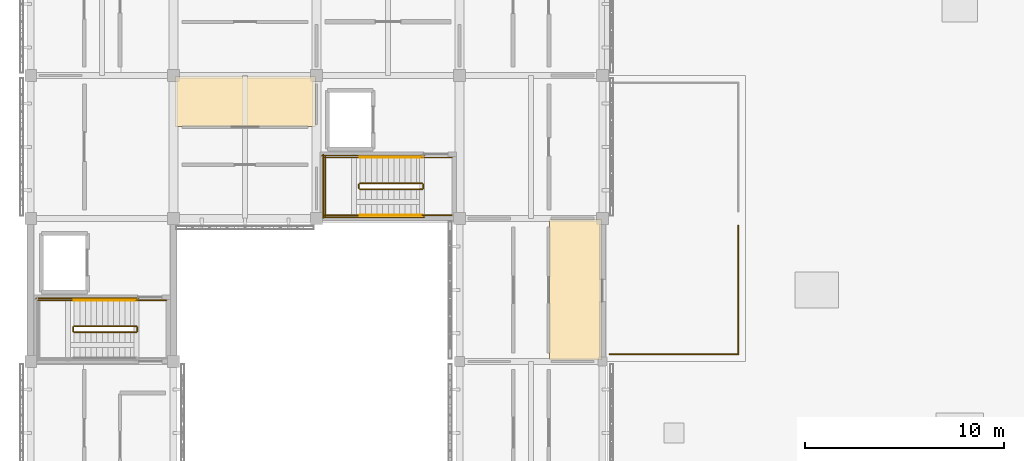
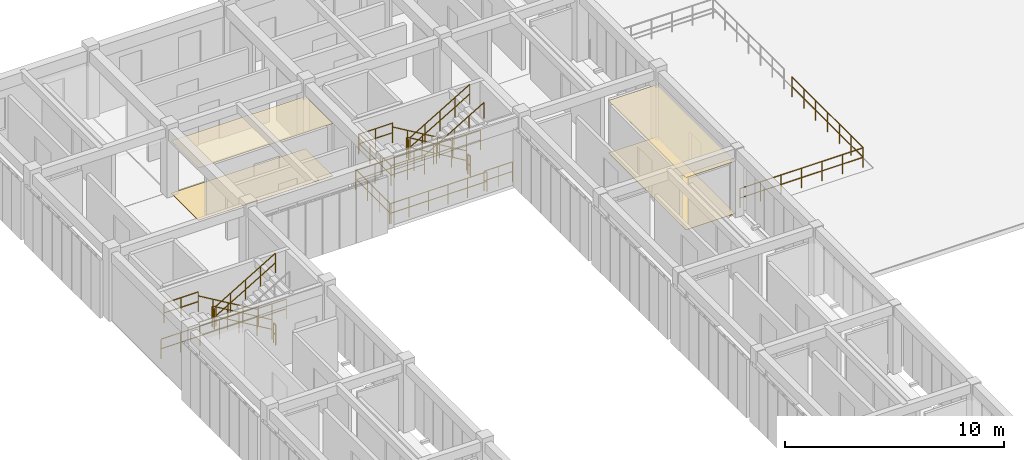
# One storey, part 65 of 67: 24 railings, 4 coverings.
"""IFC4 building model written with IfcOpenShell, lengths in metres."""

from ifc_helpers import new_model, si_unit, direction, frame, origin, origin_2d, place, context, subcontext, project, spatial, polyline, circle, outline, extrude, material, layer, layer_set, type_object, element, save


model = new_model("IFC4")

# Units and contexts
model_context = context("Model", 3, precision=1e-05, world=origin(), true_north=direction((0.0, 1.0)))
body_context = subcontext(model_context, "Body", "Model", "MODEL_VIEW")
ifc_project = project(units=[si_unit("LENGTHUNIT", "METRE"), si_unit("AREAUNIT", "SQUARE_METRE"), si_unit("VOLUMEUNIT", "CUBIC_METRE"), si_unit("PLANEANGLEUNIT", "RADIAN"), si_unit("MASSUNIT", "GRAM", prefix="KILO")], contexts=[model_context])

# Site, building, storey
site_placement = place(None, origin())
site = spatial("IfcSite", under=ifc_project, at=site_placement, CompositionType="ELEMENT")
building_placement = place(site_placement, origin())
building = spatial("IfcBuilding", under=site, at=building_placement, Name="Aldebral Square Health Centre", CompositionType="ELEMENT")
storey_placement = place(building_placement, frame((0.0, 0.0, 13.5)))
storey = spatial("IfcBuildingStorey", under=building, at=storey_placement, Name="L03", CompositionType="ELEMENT", Elevation=13.5)

# Coverings
ifc_material_1 = material(Name="Hygienic acoustic mineral ceiling tile")
ifc_layer_1 = layer(ifc_material_1, 0.02001953125, Name="Hygienic acoustic mineral ceiling tile")
ifc_layer_set_1 = layer_set([ifc_layer_1], Name="Hygienic acoustic mineral ceiling tile")
covering_type_1 = type_object("IfcCoveringType", Name="COV-CLG-AC", PredefinedType="CEILING", material=ifc_layer_set_1)
covering_1_placement = place(storey_placement, frame((0.0, 0.0, 2.909912109375)))
element("IfcCovering", 1, at=covering_1_placement, inside=storey, type_object=covering_type_1, Name="L03 Panoramic Dental X-Ray 2.15N acoustic ceiling", PredefinedType="CEILING", context=body_context, shape_type="SweptSolid", body=[
    extrude(outline(polyline([(7.260009765625, 105.43994140625), (14.340087890625, 105.43994140625), (14.340087890625, 107.93994140625), (7.260009765625, 107.93994140625), (7.260009765625, 105.43994140625)])), origin(), (0.0, 0.0, 1.0), 0.02001953125),
])
covering_2_placement = place(storey_placement, frame((0.0, 0.0, 2.909912109375)))
element("IfcCovering", 2, at=covering_2_placement, inside=storey, type_object=covering_type_1, Name="L03 Paediatric Examination Room 4.14E acoustic ceiling", PredefinedType="CEILING", context=body_context, shape_type="SweptSolid", body=[
    extrude(outline(polyline([(26.139892578125, 93.659912109375), (28.739990234375, 93.659912109375), (28.739990234375, 100.739990234375), (26.139892578125, 100.739990234375), (26.139892578125, 93.659912109375)])), origin(), (0.0, 0.0, 1.0), 0.02001953125),
])
ifc_material_2 = material(Name="Antimicrobial clinical vinyl flooring")
ifc_layer_2 = layer(ifc_material_2, 0.014892578125, Name="Antimicrobial clinical vinyl flooring")
ifc_layer_set_2 = layer_set([ifc_layer_2], Name="Antimicrobial clinical vinyl flooring")
covering_type_2 = type_object("IfcCoveringType", Name="COV-FLR-VN", PredefinedType="FLOORING", material=ifc_layer_set_2)
covering_3_placement = place(storey_placement, origin())
element("IfcCovering", 3, at=covering_3_placement, inside=storey, type_object=covering_type_2, Name="L03 Panoramic Dental X-Ray 2.15N clinical flooring", PredefinedType="FLOORING", context=body_context, shape_type="SweptSolid", body=[
    extrude(outline(polyline([(7.260009765625, 105.43994140625), (14.340087890625, 105.43994140625), (14.340087890625, 107.93994140625), (7.260009765625, 107.93994140625), (7.260009765625, 105.43994140625)])), origin(), (0.0, 0.0, 1.0), 0.014892578125),
])
covering_4_placement = place(storey_placement, origin())
element("IfcCovering", 4, at=covering_4_placement, inside=storey, type_object=covering_type_2, Name="L03 Paediatric Examination Room 4.14E clinical flooring", PredefinedType="FLOORING", context=body_context, shape_type="SweptSolid", body=[
    extrude(outline(polyline([(26.139892578125, 93.659912109375), (28.739990234375, 93.659912109375), (28.739990234375, 100.739990234375), (26.139892578125, 100.739990234375), (26.139892578125, 93.659912109375)])), origin(), (0.0, 0.0, 1.0), 0.014892578125),
])

# Railings
ifc_material_3 = material(Name="Cream cantera and steel balustrade", Category="steel")
railing_type_1 = type_object("IfcRailingType", Name="RL-EXT-BAL", PredefinedType="BALUSTRADE", material=ifc_material_3)
railing_1_placement = place(storey_placement, frame((35.639892578125, 93.9599609375, 0.0)))
element("IfcRailing", 5, at=railing_1_placement, inside=storey, type_object=railing_type_1, Name="L03 Healing Terrace perimeter guard 2", PredefinedType="BALUSTRADE", context=body_context, shape_type="SweptSolid", body=[
    extrude(circle(Radius=0.02392578125, at=origin_2d()), frame((0.0, 0.0, 1.09619140625), z_axis=(0.0, 1.0, 0.0), x_axis=(-1.0, 0.0, 0.0)), (0.0, 0.0, 1.0), 6.47998046875),
    extrude(circle(Radius=0.02392578125, at=origin_2d()), frame((0.0, 0.0, 0.56005859375), z_axis=(0.0, 1.0, 0.0), x_axis=(-1.0, 0.0, 0.0)), (0.0, 0.0, 1.0), 6.47998046875),
    extrude(circle(Radius=0.02099609375, at=origin_2d()), origin(), (0.0, 0.0, 1.0), 1.072021484375),
    extrude(circle(Radius=0.02099609375, at=origin_2d()), frame((0.0, 1.080078125, 0.0)), (0.0, 0.0, 1.0), 1.072021484375),
    extrude(circle(Radius=0.02099609375, at=origin_2d()), frame((0.0, 2.159912109375, 0.0)), (0.0, 0.0, 1.0), 1.072021484375),
    extrude(circle(Radius=0.02099609375, at=origin_2d()), frame((0.0, 3.239990234375, 0.0)), (0.0, 0.0, 1.0), 1.072021484375),
    extrude(circle(Radius=0.02099609375, at=origin_2d()), frame((0.0, 4.320068359375, 0.0)), (0.0, 0.0, 1.0), 1.072021484375),
    extrude(circle(Radius=0.02099609375, at=origin_2d()), frame((0.0, 5.39990234375, 0.0)), (0.0, 0.0, 1.0), 1.072021484375),
    extrude(circle(Radius=0.02099609375, at=origin_2d()), frame((0.0, 6.47998046875, 0.0)), (0.0, 0.0, 1.0), 1.072021484375),
])
ifc_material_4 = material(Name="Painted steel S355JR guard", Category="steel")
railing_type_2 = type_object("IfcRailingType", Name="RL-EXT-GRD", PredefinedType="GUARDRAIL", material=ifc_material_4)
railing_2_placement = place(storey_placement, frame((29.159912109375, 93.9599609375, 0.0)))
element("IfcRailing", 6, at=railing_2_placement, inside=storey, type_object=railing_type_2, Name="L03 Healing Terrace perimeter guard 1", PredefinedType="GUARDRAIL", context=body_context, shape_type="SweptSolid", body=[
    extrude(circle(Radius=0.02392578125, at=origin_2d()), frame((0.0, 0.0, 1.076171875), z_axis=(1.0, 0.0, 0.0), x_axis=(0.0, 1.0, 0.0)), (0.0, 0.0, 1.0), 6.47998046875),
    extrude(circle(Radius=0.02392578125, at=origin_2d()), frame((0.0, 0.0, 0.550048828125), z_axis=(1.0, 0.0, 0.0), x_axis=(0.0, 1.0, 0.0)), (0.0, 0.0, 1.0), 6.47998046875),
    extrude(circle(Radius=0.02099609375, at=origin_2d()), origin(), (0.0, 0.0, 1.0), 1.052001953125),
    extrude(circle(Radius=0.02099609375, at=origin_2d()), frame((1.080078125, 0.0, 0.0)), (0.0, 0.0, 1.0), 1.052001953125),
    extrude(circle(Radius=0.02099609375, at=origin_2d()), frame((2.159912109375, 0.0, 0.0)), (0.0, 0.0, 1.0), 1.052001953125),
    extrude(circle(Radius=0.02099609375, at=origin_2d()), frame((3.239990234375, 0.0, 0.0)), (0.0, 0.0, 1.0), 1.052001953125),
    extrude(circle(Radius=0.02099609375, at=origin_2d()), frame((4.320068359375, 0.0, 0.0)), (0.0, 0.0, 1.0), 1.052001953125),
    extrude(circle(Radius=0.02099609375, at=origin_2d()), frame((5.39990234375, 0.0, 0.0)), (0.0, 0.0, 1.0), 1.052001953125),
    extrude(circle(Radius=0.02099609375, at=origin_2d()), frame((6.47998046875, 0.0, 0.0)), (0.0, 0.0, 1.0), 1.052001953125),
])
ifc_material_5 = material(Name="Painted steel S355JR stair guard", Category="steel")
railing_type_3 = type_object("IfcRailingType", Name="RL-ST-GRD", PredefinedType="GUARDRAIL", material=ifc_material_5)
railing_3_placement = place(storey_placement, frame((5.320068359375, 95.3701171875, 0.168701171875)))
element("IfcRailing", 7, at=railing_3_placement, inside=storey, type_object=railing_type_3, Name="L03 ST-01 stair guard 1", PredefinedType="GUARDRAIL", context=body_context, shape_type="SweptSolid", body=[
    extrude(circle(Radius=0.02392578125, at=origin_2d()), frame((0.0, 0.0, 1.09619140625), z_axis=(-0.860481960309, 0.0, 0.509480908359), x_axis=(0.0, -1.0, 0.0)), (0.0, 0.0, 1.0), 3.643310546875),
    extrude(circle(Radius=0.02392578125, at=origin_2d()), frame((0.0, 0.0, 0.56005859375), z_axis=(-0.860481960309, 0.0, 0.509480908359), x_axis=(0.0, -1.0, 0.0)), (0.0, 0.0, 1.0), 3.643310546875),
    extrude(circle(Radius=0.02099609375, at=origin_2d()), origin(), (0.0, 0.0, 1.0), 1.072021484375),
    extrude(circle(Radius=0.02099609375, at=origin_2d()), frame((-0.78369140625, 0.0, 0.464111328125)), (0.0, 0.0, 1.0), 1.072021484375),
    extrude(circle(Radius=0.02099609375, at=origin_2d()), frame((-1.5673828125, 0.0, 0.92822265625)), (0.0, 0.0, 1.0), 1.072021484375),
    extrude(circle(Radius=0.02099609375, at=origin_2d()), frame((-2.351318359375, 0.0, 1.39208984375)), (0.0, 0.0, 1.0), 1.072021484375),
    extrude(circle(Radius=0.02099609375, at=origin_2d()), frame((-3.135009765625, 0.0, 1.856201171875)), (0.0, 0.0, 1.0), 1.072021484375),
])
railing_4_placement = place(storey_placement, frame((2.135009765625, 95.320068359375, 2.02490234375)))
element("IfcRailing", 8, at=railing_4_placement, inside=storey, type_object=railing_type_3, Name="L03 ST-01 stair guard 2", PredefinedType="GUARDRAIL", context=body_context, shape_type="SweptSolid", body=[
    extrude(circle(Radius=0.02392578125, at=origin_2d()), frame((0.0, 0.0, 1.09619140625), z_axis=(0.0, -1.0, 0.0), x_axis=(1.0, 0.0, 0.0)), (0.0, 0.0, 1.0), 0.199951171875),
    extrude(circle(Radius=0.02392578125, at=origin_2d()), frame((0.0, 0.0, 0.56005859375), z_axis=(0.0, -1.0, 0.0), x_axis=(1.0, 0.0, 0.0)), (0.0, 0.0, 1.0), 0.199951171875),
    extrude(circle(Radius=0.02099609375, at=origin_2d()), origin(), (0.0, 0.0, 1.0), 1.072021484375),
    extrude(circle(Radius=0.02099609375, at=origin_2d()), frame((0.0, -0.199951171875, 0.0)), (0.0, 0.0, 1.0), 1.072021484375),
])
railing_5_placement = place(storey_placement, frame((2.18505859375, 96.669921875, 2.02490234375)))
element("IfcRailing", 9, at=railing_5_placement, inside=storey, type_object=railing_type_3, Name="L03 ST-01 stair guard 3", PredefinedType="GUARDRAIL", context=body_context, shape_type="SweptSolid", body=[
    extrude(circle(Radius=0.02392578125, at=origin_2d()), frame((0.0, 0.0, 1.09619140625), z_axis=(-1.0, 0.0, 0.0), x_axis=(0.0, -1.0, 0.0)), (0.0, 0.0, 1.0), 1.80517578125),
    extrude(circle(Radius=0.02392578125, at=origin_2d()), frame((0.0, 0.0, 0.56005859375), z_axis=(-1.0, 0.0, 0.0), x_axis=(0.0, -1.0, 0.0)), (0.0, 0.0, 1.0), 1.80517578125),
    extrude(circle(Radius=0.02099609375, at=origin_2d()), origin(), (0.0, 0.0, 1.0), 1.072021484375),
    extrude(circle(Radius=0.02099609375, at=origin_2d()), frame((-0.902587890625, 0.0, 0.0)), (0.0, 0.0, 1.0), 1.072021484375),
    extrude(circle(Radius=0.02099609375, at=origin_2d()), frame((-1.80517578125, 0.0, 0.0)), (0.0, 0.0, 1.0), 1.072021484375),
])
railing_6_placement = place(storey_placement, frame((2.18505859375, 95.070068359375, 2.19384765625)))
element("IfcRailing", 10, at=railing_6_placement, inside=storey, type_object=railing_type_3, Name="L03 ST-01 stair guard 6", PredefinedType="GUARDRAIL", context=body_context, shape_type="SweptSolid", body=[
    extrude(circle(Radius=0.02392578125, at=origin_2d()), frame((0.0, 0.0, 1.09619140625), z_axis=(0.860481960309, 0.0, 0.509480908359), x_axis=(0.0, 1.0, 0.0)), (0.0, 0.0, 1.0), 3.643310546875),
    extrude(circle(Radius=0.02392578125, at=origin_2d()), frame((0.0, 0.0, 0.56005859375), z_axis=(0.860481960309, 0.0, 0.509480908359), x_axis=(0.0, 1.0, 0.0)), (0.0, 0.0, 1.0), 3.643310546875),
    extrude(circle(Radius=0.02099609375, at=origin_2d()), origin(), (0.0, 0.0, 1.0), 1.072021484375),
    extrude(circle(Radius=0.02099609375, at=origin_2d()), frame((0.78369140625, 0.0, 0.464111328125)), (0.0, 0.0, 1.0), 1.072021484375),
    extrude(circle(Radius=0.02099609375, at=origin_2d()), frame((1.5673828125, 0.0, 0.92822265625)), (0.0, 0.0, 1.0), 1.072021484375),
    extrude(circle(Radius=0.02099609375, at=origin_2d()), frame((2.351318359375, 0.0, 1.39208984375)), (0.0, 0.0, 1.0), 1.072021484375),
    extrude(circle(Radius=0.02099609375, at=origin_2d()), frame((3.135009765625, 0.0, 1.856201171875)), (0.0, 0.0, 1.0), 1.072021484375),
])
railing_7_placement = place(storey_placement, frame((5.3701171875, 95.320068359375, 0.0)))
element("IfcRailing", 11, at=railing_7_placement, inside=storey, type_object=railing_type_3, Name="L03 ST-01 stair guard 7", PredefinedType="GUARDRAIL", context=body_context, shape_type="SweptSolid", body=[
    extrude(circle(Radius=0.02392578125, at=origin_2d()), frame((0.0, 0.0, 1.09619140625), z_axis=(0.0, -1.0, 0.0), x_axis=(1.0, 0.0, 0.0)), (0.0, 0.0, 1.0), 0.199951171875),
    extrude(circle(Radius=0.02392578125, at=origin_2d()), frame((0.0, 0.0, 0.56005859375), z_axis=(0.0, -1.0, 0.0), x_axis=(1.0, 0.0, 0.0)), (0.0, 0.0, 1.0), 0.199951171875),
    extrude(circle(Radius=0.02099609375, at=origin_2d()), origin(), (0.0, 0.0, 1.0), 1.072021484375),
    extrude(circle(Radius=0.02099609375, at=origin_2d()), frame((0.0, -0.199951171875, 0.0)), (0.0, 0.0, 1.0), 1.072021484375),
])
railing_8_placement = place(storey_placement, frame((6.820068359375, 96.669921875, 0.0)))
element("IfcRailing", 12, at=railing_8_placement, inside=storey, type_object=railing_type_3, Name="L03 ST-01 stair guard 8", PredefinedType="GUARDRAIL", context=body_context, shape_type="SweptSolid", body=[
    extrude(circle(Radius=0.02392578125, at=origin_2d()), frame((0.0, 0.0, 1.09619140625), z_axis=(-1.0, 0.0, 0.0), x_axis=(0.0, -1.0, 0.0)), (0.0, 0.0, 1.0), 1.5),
    extrude(circle(Radius=0.02392578125, at=origin_2d()), frame((0.0, 0.0, 0.56005859375), z_axis=(-1.0, 0.0, 0.0), x_axis=(0.0, -1.0, 0.0)), (0.0, 0.0, 1.0), 1.5),
    extrude(circle(Radius=0.02099609375, at=origin_2d()), origin(), (0.0, 0.0, 1.0), 1.072021484375),
    extrude(circle(Radius=0.02099609375, at=origin_2d()), frame((-0.75, 0.0, 0.0)), (0.0, 0.0, 1.0), 1.072021484375),
    extrude(circle(Radius=0.02099609375, at=origin_2d()), frame((-1.5, 0.0, 0.0)), (0.0, 0.0, 1.0), 1.072021484375),
])
railing_9_placement = place(storey_placement, frame((5.419921875, 96.77001953125, 0.0)))
element("IfcRailing", 13, at=railing_9_placement, inside=storey, type_object=railing_type_3, Name="L03 ST-01 stair guard 10", PredefinedType="GUARDRAIL", context=body_context, shape_type="SweptSolid", body=[
    extrude(circle(Radius=0.02392578125, at=origin_2d()), frame((0.0, 0.0, 1.09619140625), z_axis=(-1.0, 0.0, 0.0), x_axis=(0.0, -1.0, 0.0)), (0.0, 0.0, 1.0), 5.139892578125),
    extrude(circle(Radius=0.02392578125, at=origin_2d()), frame((0.0, 0.0, 0.56005859375), z_axis=(-1.0, 0.0, 0.0), x_axis=(0.0, -1.0, 0.0)), (0.0, 0.0, 1.0), 5.139892578125),
    extrude(circle(Radius=0.02099609375, at=origin_2d()), origin(), (0.0, 0.0, 1.0), 1.072021484375),
    extrude(circle(Radius=0.02099609375, at=origin_2d()), frame((-1.028076171875, 0.0, 0.0)), (0.0, 0.0, 1.0), 1.072021484375),
    extrude(circle(Radius=0.02099609375, at=origin_2d()), frame((-2.055908203125, 0.0, 0.0)), (0.0, 0.0, 1.0), 1.072021484375),
    extrude(circle(Radius=0.02099609375, at=origin_2d()), frame((-3.083984375, 0.0, 0.0)), (0.0, 0.0, 1.0), 1.072021484375),
    extrude(circle(Radius=0.02099609375, at=origin_2d()), frame((-4.11181640625, 0.0, 0.0)), (0.0, 0.0, 1.0), 1.072021484375),
    extrude(circle(Radius=0.02099609375, at=origin_2d()), frame((-5.139892578125, 0.0, 0.0)), (0.0, 0.0, 1.0), 1.072021484375),
])
railing_10_placement = place(storey_placement, frame((19.719970703125, 102.570068359375, 0.168701171875)))
element("IfcRailing", 14, at=railing_10_placement, inside=storey, type_object=railing_type_3, Name="L03 ST-02 stair guard 1", PredefinedType="GUARDRAIL", context=body_context, shape_type="SweptSolid", body=[
    extrude(circle(Radius=0.02392578125, at=origin_2d()), frame((0.0, 0.0, 1.09619140625), z_axis=(-0.860481960309, 0.0, 0.509480908359), x_axis=(0.0, -1.0, 0.0)), (0.0, 0.0, 1.0), 3.643310546875),
    extrude(circle(Radius=0.02392578125, at=origin_2d()), frame((0.0, 0.0, 0.56005859375), z_axis=(-0.860481960309, 0.0, 0.509480908359), x_axis=(0.0, -1.0, 0.0)), (0.0, 0.0, 1.0), 3.643310546875),
    extrude(circle(Radius=0.02099609375, at=origin_2d()), origin(), (0.0, 0.0, 1.0), 1.072021484375),
    extrude(circle(Radius=0.02099609375, at=origin_2d()), frame((-0.78369140625, 0.0, 0.464111328125)), (0.0, 0.0, 1.0), 1.072021484375),
    extrude(circle(Radius=0.02099609375, at=origin_2d()), frame((-1.5673828125, 0.0, 0.92822265625)), (0.0, 0.0, 1.0), 1.072021484375),
    extrude(circle(Radius=0.02099609375, at=origin_2d()), frame((-2.351318359375, 0.0, 1.39208984375)), (0.0, 0.0, 1.0), 1.072021484375),
    extrude(circle(Radius=0.02099609375, at=origin_2d()), frame((-3.135009765625, 0.0, 1.856201171875)), (0.0, 0.0, 1.0), 1.072021484375),
])
railing_11_placement = place(storey_placement, frame((16.534912109375, 102.52001953125, 2.02490234375)))
element("IfcRailing", 15, at=railing_11_placement, inside=storey, type_object=railing_type_3, Name="L03 ST-02 stair guard 2", PredefinedType="GUARDRAIL", context=body_context, shape_type="SweptSolid", body=[
    extrude(circle(Radius=0.02392578125, at=origin_2d()), frame((0.0, 0.0, 1.09619140625), z_axis=(0.0, -1.0, 0.0), x_axis=(1.0, 0.0, 0.0)), (0.0, 0.0, 1.0), 0.199951171875),
    extrude(circle(Radius=0.02392578125, at=origin_2d()), frame((0.0, 0.0, 0.56005859375), z_axis=(0.0, -1.0, 0.0), x_axis=(1.0, 0.0, 0.0)), (0.0, 0.0, 1.0), 0.199951171875),
    extrude(circle(Radius=0.02099609375, at=origin_2d()), origin(), (0.0, 0.0, 1.0), 1.072021484375),
    extrude(circle(Radius=0.02099609375, at=origin_2d()), frame((0.0, -0.199951171875, 0.0)), (0.0, 0.0, 1.0), 1.072021484375),
])
for number, where, name in (
    (16, (16.5849609375, 103.8701171875, 2.02490234375), "L03 ST-02 stair guard 3"),
    (17, (16.5849609375, 100.969970703125, 2.02490234375), "L03 ST-02 stair guard 4"),
):
    element("IfcRailing", number, at=place(storey_placement, frame(where)), inside=storey, type_object=railing_type_3, Name=name, PredefinedType="GUARDRAIL", context=body_context, shape_type="SweptSolid", body=[
        extrude(circle(Radius=0.02392578125, at=origin_2d()), frame((0.0, 0.0, 1.09619140625), z_axis=(-1.0, 0.0, 0.0), x_axis=(0.0, -1.0, 0.0)), (0.0, 0.0, 1.0), 1.804931640625),
        extrude(circle(Radius=0.02392578125, at=origin_2d()), frame((0.0, 0.0, 0.56005859375), z_axis=(-1.0, 0.0, 0.0), x_axis=(0.0, -1.0, 0.0)), (0.0, 0.0, 1.0), 1.804931640625),
        extrude(circle(Radius=0.02099609375, at=origin_2d()), origin(), (0.0, 0.0, 1.0), 1.072021484375),
        extrude(circle(Radius=0.02099609375, at=origin_2d()), frame((-0.90234375, 0.0, 0.0)), (0.0, 0.0, 1.0), 1.072021484375),
        extrude(circle(Radius=0.02099609375, at=origin_2d()), frame((-1.804931640625, 0.0, 0.0)), (0.0, 0.0, 1.0), 1.072021484375),
    ])
railing_12_placement = place(storey_placement, frame((14.830078125, 103.919921875, 2.02490234375)))
element("IfcRailing", 18, at=railing_12_placement, inside=storey, type_object=railing_type_3, Name="L03 ST-02 stair guard 5", PredefinedType="GUARDRAIL", context=body_context, shape_type="SweptSolid", body=[
    extrude(circle(Radius=0.02392578125, at=origin_2d()), frame((0.0, 0.0, 1.09619140625), z_axis=(0.0, -1.0, 0.0), x_axis=(1.0, 0.0, 0.0)), (0.0, 0.0, 1.0), 3.0),
    extrude(circle(Radius=0.02392578125, at=origin_2d()), frame((0.0, 0.0, 0.56005859375), z_axis=(0.0, -1.0, 0.0), x_axis=(1.0, 0.0, 0.0)), (0.0, 0.0, 1.0), 3.0),
    extrude(circle(Radius=0.02099609375, at=origin_2d()), origin(), (0.0, 0.0, 1.0), 1.072021484375),
    extrude(circle(Radius=0.02099609375, at=origin_2d()), frame((0.0, -1.0, 0.0)), (0.0, 0.0, 1.0), 1.072021484375),
    extrude(circle(Radius=0.02099609375, at=origin_2d()), frame((0.0, -2.0, 0.0)), (0.0, 0.0, 1.0), 1.072021484375),
    extrude(circle(Radius=0.02099609375, at=origin_2d()), frame((0.0, -3.0, 0.0)), (0.0, 0.0, 1.0), 1.072021484375),
])
railing_13_placement = place(storey_placement, frame((16.5849609375, 102.27001953125, 2.19384765625)))
element("IfcRailing", 19, at=railing_13_placement, inside=storey, type_object=railing_type_3, Name="L03 ST-02 stair guard 6", PredefinedType="GUARDRAIL", context=body_context, shape_type="SweptSolid", body=[
    extrude(circle(Radius=0.02392578125, at=origin_2d()), frame((0.0, 0.0, 1.09619140625), z_axis=(0.860481960309, 0.0, 0.509480908359), x_axis=(0.0, 1.0, 0.0)), (0.0, 0.0, 1.0), 3.643310546875),
    extrude(circle(Radius=0.02392578125, at=origin_2d()), frame((0.0, 0.0, 0.56005859375), z_axis=(0.860481960309, 0.0, 0.509480908359), x_axis=(0.0, 1.0, 0.0)), (0.0, 0.0, 1.0), 3.643310546875),
    extrude(circle(Radius=0.02099609375, at=origin_2d()), origin(), (0.0, 0.0, 1.0), 1.072021484375),
    extrude(circle(Radius=0.02099609375, at=origin_2d()), frame((0.78369140625, 0.0, 0.464111328125)), (0.0, 0.0, 1.0), 1.072021484375),
    extrude(circle(Radius=0.02099609375, at=origin_2d()), frame((1.5673828125, 0.0, 0.92822265625)), (0.0, 0.0, 1.0), 1.072021484375),
    extrude(circle(Radius=0.02099609375, at=origin_2d()), frame((2.351318359375, 0.0, 1.39208984375)), (0.0, 0.0, 1.0), 1.072021484375),
    extrude(circle(Radius=0.02099609375, at=origin_2d()), frame((3.135009765625, 0.0, 1.856201171875)), (0.0, 0.0, 1.0), 1.072021484375),
])
railing_14_placement = place(storey_placement, frame((19.77001953125, 102.52001953125, 0.0)))
element("IfcRailing", 20, at=railing_14_placement, inside=storey, type_object=railing_type_3, Name="L03 ST-02 stair guard 7", PredefinedType="GUARDRAIL", context=body_context, shape_type="SweptSolid", body=[
    extrude(circle(Radius=0.02392578125, at=origin_2d()), frame((0.0, 0.0, 1.09619140625), z_axis=(0.0, -1.0, 0.0), x_axis=(1.0, 0.0, 0.0)), (0.0, 0.0, 1.0), 0.199951171875),
    extrude(circle(Radius=0.02392578125, at=origin_2d()), frame((0.0, 0.0, 0.56005859375), z_axis=(0.0, -1.0, 0.0), x_axis=(1.0, 0.0, 0.0)), (0.0, 0.0, 1.0), 0.199951171875),
    extrude(circle(Radius=0.02099609375, at=origin_2d()), origin(), (0.0, 0.0, 1.0), 1.072021484375),
    extrude(circle(Radius=0.02099609375, at=origin_2d()), frame((0.0, -0.199951171875, 0.0)), (0.0, 0.0, 1.0), 1.072021484375),
])
for number, where, name in (
    (21, (21.219970703125, 103.8701171875, 0.0), "L03 ST-02 stair guard 8"),
    (22, (21.219970703125, 100.969970703125, 0.0), "L03 ST-02 stair guard 9"),
):
    element("IfcRailing", number, at=place(storey_placement, frame(where)), inside=storey, type_object=railing_type_3, Name=name, PredefinedType="GUARDRAIL", context=body_context, shape_type="SweptSolid", body=[
        extrude(circle(Radius=0.02392578125, at=origin_2d()), frame((0.0, 0.0, 1.09619140625), z_axis=(-1.0, 0.0, 0.0), x_axis=(0.0, -1.0, 0.0)), (0.0, 0.0, 1.0), 1.5),
        extrude(circle(Radius=0.02392578125, at=origin_2d()), frame((0.0, 0.0, 0.56005859375), z_axis=(-1.0, 0.0, 0.0), x_axis=(0.0, -1.0, 0.0)), (0.0, 0.0, 1.0), 1.5),
        extrude(circle(Radius=0.02099609375, at=origin_2d()), origin(), (0.0, 0.0, 1.0), 1.072021484375),
        extrude(circle(Radius=0.02099609375, at=origin_2d()), frame((-0.75, 0.0, 0.0)), (0.0, 0.0, 1.0), 1.072021484375),
        extrude(circle(Radius=0.02099609375, at=origin_2d()), frame((-1.5, 0.0, 0.0)), (0.0, 0.0, 1.0), 1.072021484375),
    ])
for number, where, name in (
    (23, (19.820068359375, 103.969970703125, 0.0), "L03 ST-02 stair guard 10"),
    (24, (19.820068359375, 100.8701171875, 0.0), "L03 ST-02 stair guard 11"),
):
    element("IfcRailing", number, at=place(storey_placement, frame(where)), inside=storey, type_object=railing_type_3, Name=name, PredefinedType="GUARDRAIL", context=body_context, shape_type="SweptSolid", body=[
        extrude(circle(Radius=0.02392578125, at=origin_2d()), frame((0.0, 0.0, 1.09619140625), z_axis=(-1.0, 0.0, 0.0), x_axis=(0.0, -1.0, 0.0)), (0.0, 0.0, 1.0), 5.14013671875),
        extrude(circle(Radius=0.02392578125, at=origin_2d()), frame((0.0, 0.0, 0.56005859375), z_axis=(-1.0, 0.0, 0.0), x_axis=(0.0, -1.0, 0.0)), (0.0, 0.0, 1.0), 5.14013671875),
        extrude(circle(Radius=0.02099609375, at=origin_2d()), origin(), (0.0, 0.0, 1.0), 1.072021484375),
        extrude(circle(Radius=0.02099609375, at=origin_2d()), frame((-1.028076171875, 0.0, 0.0)), (0.0, 0.0, 1.0), 1.072021484375),
        extrude(circle(Radius=0.02099609375, at=origin_2d()), frame((-2.05615234375, 0.0, 0.0)), (0.0, 0.0, 1.0), 1.072021484375),
        extrude(circle(Radius=0.02099609375, at=origin_2d()), frame((-3.083984375, 0.0, 0.0)), (0.0, 0.0, 1.0), 1.072021484375),
        extrude(circle(Radius=0.02099609375, at=origin_2d()), frame((-4.112060546875, 0.0, 0.0)), (0.0, 0.0, 1.0), 1.072021484375),
        extrude(circle(Radius=0.02099609375, at=origin_2d()), frame((-5.14013671875, 0.0, 0.0)), (0.0, 0.0, 1.0), 1.072021484375),
    ])
railing_15_placement = place(storey_placement, frame((14.72998046875, 104.02001953125, 0.0)))
element("IfcRailing", 25, at=railing_15_placement, inside=storey, type_object=railing_type_3, Name="L03 ST-02 stair guard 12", PredefinedType="GUARDRAIL", context=body_context, shape_type="SweptSolid", body=[
    extrude(circle(Radius=0.02392578125, at=origin_2d()), frame((0.0, 0.0, 1.09619140625), z_axis=(0.0, -1.0, 0.0), x_axis=(1.0, 0.0, 0.0)), (0.0, 0.0, 1.0), 3.199951171875),
    extrude(circle(Radius=0.02392578125, at=origin_2d()), frame((0.0, 0.0, 0.56005859375), z_axis=(0.0, -1.0, 0.0), x_axis=(1.0, 0.0, 0.0)), (0.0, 0.0, 1.0), 3.199951171875),
    extrude(circle(Radius=0.02099609375, at=origin_2d()), origin(), (0.0, 0.0, 1.0), 1.072021484375),
    extrude(circle(Radius=0.02099609375, at=origin_2d()), frame((0.0, -1.066650390625, 0.0)), (0.0, 0.0, 1.0), 1.072021484375),
    extrude(circle(Radius=0.02099609375, at=origin_2d()), frame((0.0, -2.13330078125, 0.0)), (0.0, 0.0, 1.0), 1.072021484375),
    extrude(circle(Radius=0.02099609375, at=origin_2d()), frame((0.0, -3.199951171875, 0.0)), (0.0, 0.0, 1.0), 1.072021484375),
])
ifc_material_6 = material(Name="Brushed stainless steel handrail", Category="steel")
railing_type_4 = type_object("IfcRailingType", Name="RL-ST-HND", PredefinedType="HANDRAIL", material=ifc_material_6)
for number, where, name in (
    (26, (5.320068359375, 96.669921875, 0.168701171875), "L03 ST-01 stair handrail 1"),
    (27, (19.719970703125, 103.8701171875, 0.168701171875), "L03 ST-02 stair handrail 1"),
):
    element("IfcRailing", number, at=place(storey_placement, frame(where)), inside=storey, type_object=railing_type_4, Name=name, PredefinedType="HANDRAIL", context=body_context, shape_type="SweptSolid", body=[
        extrude(circle(Radius=0.02392578125, at=origin_2d()), frame((0.0, 0.0, 0.8759765625), z_axis=(-0.860481960309, 0.0, 0.509480908359), x_axis=(0.0, -1.0, 0.0)), (0.0, 0.0, 1.0), 3.643310546875),
        extrude(circle(Radius=0.02099609375, at=origin_2d()), origin(), (0.0, 0.0, 1.0), 0.851806640625),
        extrude(circle(Radius=0.02099609375, at=origin_2d()), frame((-0.78369140625, 0.0, 0.464111328125)), (0.0, 0.0, 1.0), 0.851806640625),
        extrude(circle(Radius=0.02099609375, at=origin_2d()), frame((-1.5673828125, 0.0, 0.92822265625)), (0.0, 0.0, 1.0), 0.851806640625),
        extrude(circle(Radius=0.02099609375, at=origin_2d()), frame((-2.351318359375, 0.0, 1.39208984375)), (0.0, 0.0, 1.0), 0.851806640625),
        extrude(circle(Radius=0.02099609375, at=origin_2d()), frame((-3.135009765625, 0.0, 1.856201171875)), (0.0, 0.0, 1.0), 0.851806640625),
    ])
railing_16_placement = place(storey_placement, frame((16.5849609375, 100.969970703125, 2.19384765625)))
element("IfcRailing", 28, at=railing_16_placement, inside=storey, type_object=railing_type_4, Name="L03 ST-02 stair handrail 2", PredefinedType="HANDRAIL", context=body_context, shape_type="SweptSolid", body=[
    extrude(circle(Radius=0.02392578125, at=origin_2d()), frame((0.0, 0.0, 0.8759765625), z_axis=(0.860481960309, 0.0, 0.509480908359), x_axis=(0.0, 1.0, 0.0)), (0.0, 0.0, 1.0), 3.643310546875),
    extrude(circle(Radius=0.02099609375, at=origin_2d()), origin(), (0.0, 0.0, 1.0), 0.851806640625),
    extrude(circle(Radius=0.02099609375, at=origin_2d()), frame((0.78369140625, 0.0, 0.464111328125)), (0.0, 0.0, 1.0), 0.851806640625),
    extrude(circle(Radius=0.02099609375, at=origin_2d()), frame((1.5673828125, 0.0, 0.92822265625)), (0.0, 0.0, 1.0), 0.851806640625),
    extrude(circle(Radius=0.02099609375, at=origin_2d()), frame((2.351318359375, 0.0, 1.39208984375)), (0.0, 0.0, 1.0), 0.851806640625),
    extrude(circle(Radius=0.02099609375, at=origin_2d()), frame((3.135009765625, 0.0, 1.856201171875)), (0.0, 0.0, 1.0), 0.851806640625),
])

save(model, "model.ifc")
